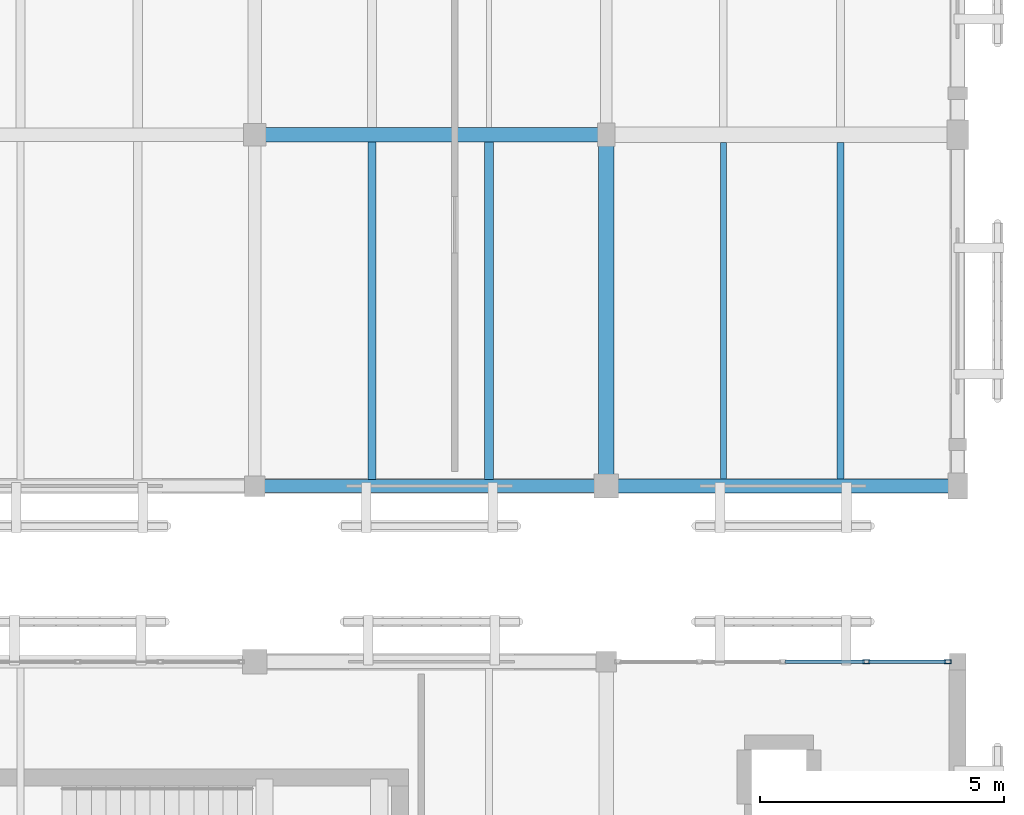
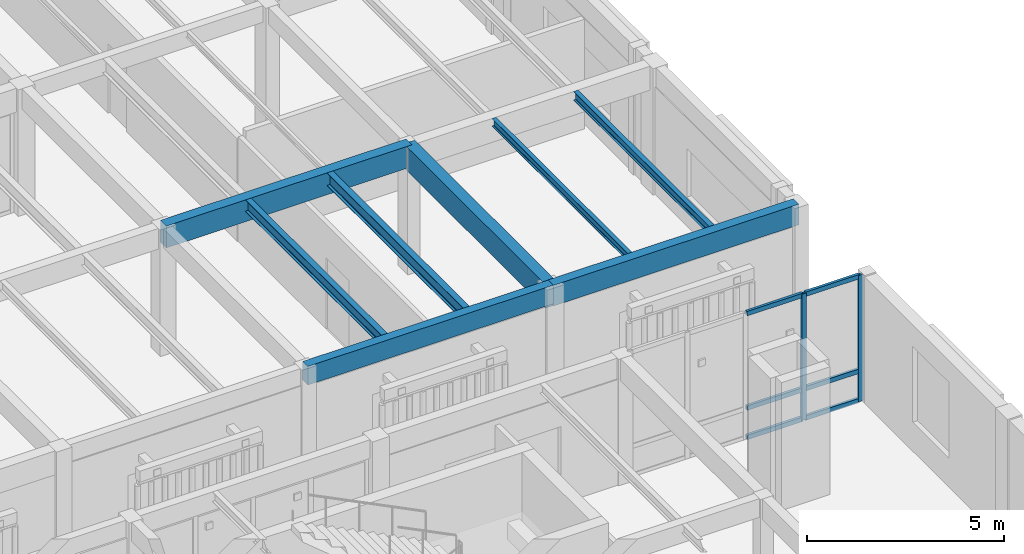
# One storey, part 145 of 217: 8 beams, 8 members, 1 element without a shape of its own.
"""IFC4 building model written with IfcOpenShell, lengths in metres."""

from ifc_helpers import new_model, si_unit, direction, frame, origin, origin_2d, place, context, subcontext, project, spatial, rectangle, hollow_rectangle, i_section, extrude, material, layer, layer_set, material_profile, profile_set, type_object, element, aggregate, save


model = new_model("IFC4")

# Units and contexts
model_context = context("Model", 3, precision=1e-05, world=origin(), true_north=direction((0.0, 1.0)))
body_context = subcontext(model_context, "Body", "Model", "MODEL_VIEW")
ifc_project = project(units=[si_unit("LENGTHUNIT", "METRE"), si_unit("AREAUNIT", "SQUARE_METRE"), si_unit("VOLUMEUNIT", "CUBIC_METRE"), si_unit("PLANEANGLEUNIT", "RADIAN"), si_unit("MASSUNIT", "GRAM", prefix="KILO")], contexts=[model_context])

# Site, building, storey
site_placement = place(None, origin())
site = spatial("IfcSite", under=ifc_project, at=site_placement, CompositionType="ELEMENT")
building_placement = place(site_placement, origin())
building = spatial("IfcBuilding", under=site, at=building_placement, Name="Mazaris Harbour Polytechnic", CompositionType="ELEMENT")
storey_placement = place(building_placement, frame((0.0, 0.0, 9.60009765625)))
storey = spatial("IfcBuildingStorey", under=building, at=storey_placement, Name="L02", CompositionType="ELEMENT", Elevation=9.60009765625)

# Curtain wall, members
ifc_material_1 = material(Name="Anodised Bronze Aluminium and Low-E Glass", Category="aluminium")
ifc_layer = layer(ifc_material_1, 0.159912109375, Name="Anodised Bronze Aluminium and Low-E Glass")
ifc_layer_set = layer_set([ifc_layer], Name="Anodised Bronze Aluminium and Low-E Glass")
curtain_wall_type = type_object("IfcCurtainWallType", Name="Cloister Court Curtain Wall", PredefinedType="NOTDEFINED", material=ifc_layer_set)
curtain_wall_placement = place(storey_placement, origin())
curtain_wall = element("IfcCurtainWall", 1, at=curtain_wall_placement, inside=storey, type_object=curtain_wall_type, Name="V2 L02 Curtain Wall 52", PredefinedType="NOTDEFINED")
ifc_material_2 = material(Name="Anodised Bronze Steel S355", Category="steel")
ifc_material_profile_1 = material_profile(ifc_material_2, hollow_rectangle(XDim=0.080078125, YDim=0.139892578125, WallThickness=0.00634765625, at=origin_2d()), Name="RHS 80x140x6.3")
ifc_profile_set_1 = profile_set([ifc_material_profile_1], Name="Anodised Bronze Steel S355")
member_type_1 = type_object("IfcMemberType", Name="Curtain Mullion RHS80x140", PredefinedType="MULLION", material=ifc_profile_set_1)
member_1_placement = place(storey_placement, frame((170.928955078125, 43.199951171875, 0.0), z_axis=(0.0, 0.0, 1.0), x_axis=(0.0, 1.0, 0.0)))
member_1 = element("IfcMember", 2, at=member_1_placement, type_object=member_type_1, Name="CW-02 mullion 4", PredefinedType="MULLION", context=body_context, shape_type="SweptSolid", body=[
    extrude(hollow_rectangle(XDim=0.080078125, YDim=0.139892578125, WallThickness=0.00634765625, at=origin_2d()), origin(), (0.0, 0.0, 1.0), 3.919921875),
])
member_2_placement = place(storey_placement, frame((172.597900390625, 43.199951171875, 0.0), z_axis=(0.0, 0.0, 1.0), x_axis=(0.0, 1.0, 0.0)))
member_2 = element("IfcMember", 3, at=member_2_placement, type_object=member_type_1, Name="CW-02 mullion 5", PredefinedType="MULLION", context=body_context, shape_type="SweptSolid", body=[
    extrude(hollow_rectangle(XDim=0.080078125, YDim=0.139892578125, WallThickness=0.00634765625, at=origin_2d()), origin(), (0.0, 0.0, 1.0), 3.919921875),
])
ifc_material_3 = material(Name="Anodised Bronze Steel S355", Category="steel")
ifc_material_profile_2 = material_profile(ifc_material_3, hollow_rectangle(XDim=0.080078125, YDim=0.139892578125, WallThickness=0.00634765625, at=origin_2d()), Name="RHS 80x140x6.3")
ifc_profile_set_2 = profile_set([ifc_material_profile_2], Name="Anodised Bronze Steel S355")
member_type_2 = type_object("IfcMemberType", Name="Curtain Transom RHS80x140", PredefinedType="USERDEFINED", material=ifc_profile_set_2)
member_3_placement = place(storey_placement, frame((169.260009765625, 43.199951171875, 0.039794921875), z_axis=(1.0, 0.0, 0.0), x_axis=(0.0, 1.0, 0.0)))
member_3 = element("IfcMember", 4, at=member_3_placement, type_object=member_type_2, Name="CW-02 transom 3.1", ObjectType="TRANSOM", PredefinedType="USERDEFINED", context=body_context, shape_type="SweptSolid", body=[
    extrude(hollow_rectangle(XDim=0.080078125, YDim=0.139892578125, WallThickness=0.00634765625, at=origin_2d()), origin(), (0.0, 0.0, 1.0), 1.62890625),
])
member_4_placement = place(storey_placement, frame((169.260009765625, 43.199951171875, 0.949951171875), z_axis=(1.0, 0.0, 0.0), x_axis=(0.0, 1.0, 0.0)))
member_4 = element("IfcMember", 5, at=member_4_placement, type_object=member_type_2, Name="CW-02 transom 3.2", ObjectType="TRANSOM", PredefinedType="USERDEFINED", context=body_context, shape_type="SweptSolid", body=[
    extrude(hollow_rectangle(XDim=0.080078125, YDim=0.139892578125, WallThickness=0.00634765625, at=origin_2d()), origin(), (0.0, 0.0, 1.0), 1.62890625),
])
member_5_placement = place(storey_placement, frame((169.260009765625, 43.199951171875, 3.8798828125), z_axis=(1.0, 0.0, 0.0), x_axis=(0.0, 1.0, 0.0)))
member_5 = element("IfcMember", 6, at=member_5_placement, type_object=member_type_2, Name="CW-02 transom 3.3", ObjectType="TRANSOM", PredefinedType="USERDEFINED", context=body_context, shape_type="SweptSolid", body=[
    extrude(hollow_rectangle(XDim=0.080078125, YDim=0.139892578125, WallThickness=0.00634765625, at=origin_2d()), origin(), (0.0, 0.0, 1.0), 1.62890625),
])
member_6_placement = place(storey_placement, frame((170.968994140625, 43.199951171875, 0.039794921875), z_axis=(1.0, 0.0, 0.0), x_axis=(0.0, 1.0, 0.0)))
member_6 = element("IfcMember", 7, at=member_6_placement, type_object=member_type_2, Name="CW-02 transom 4.1", ObjectType="TRANSOM", PredefinedType="USERDEFINED", context=body_context, shape_type="SweptSolid", body=[
    extrude(hollow_rectangle(XDim=0.080078125, YDim=0.139892578125, WallThickness=0.00634765625, at=origin_2d()), origin(), (0.0, 0.0, 1.0), 1.589111328125),
])
member_7_placement = place(storey_placement, frame((170.968994140625, 43.199951171875, 0.949951171875), z_axis=(1.0, 0.0, 0.0), x_axis=(0.0, 1.0, 0.0)))
member_7 = element("IfcMember", 8, at=member_7_placement, type_object=member_type_2, Name="CW-02 transom 4.2", ObjectType="TRANSOM", PredefinedType="USERDEFINED", context=body_context, shape_type="SweptSolid", body=[
    extrude(hollow_rectangle(XDim=0.080078125, YDim=0.139892578125, WallThickness=0.00634765625, at=origin_2d()), origin(), (0.0, 0.0, 1.0), 1.589111328125),
])
member_8_placement = place(storey_placement, frame((170.968994140625, 43.199951171875, 3.8798828125), z_axis=(1.0, 0.0, 0.0), x_axis=(0.0, 1.0, 0.0)))
member_8 = element("IfcMember", 9, at=member_8_placement, type_object=member_type_2, Name="CW-02 transom 4.3", ObjectType="TRANSOM", PredefinedType="USERDEFINED", context=body_context, shape_type="SweptSolid", body=[
    extrude(hollow_rectangle(XDim=0.080078125, YDim=0.139892578125, WallThickness=0.00634765625, at=origin_2d()), origin(), (0.0, 0.0, 1.0), 1.589111328125),
])
aggregate(curtain_wall, [member_1, member_2, member_3, member_4, member_5, member_6, member_7, member_8])

# Beams
ifc_material_4 = material(Name="Glulam GL32h", Category="wood")
ifc_material_profile_3 = material_profile(ifc_material_4, rectangle(XDim=0.260009765625, YDim=0.580078125, at=origin_2d()), Name="RECT260x580")
ifc_profile_set_3 = profile_set([ifc_material_profile_3], Name="Glulam GL32h")
beam_type_1 = type_object("IfcBeamType", Name="Glulam Girder 260x580 Exterior", PredefinedType="BEAM", material=ifc_profile_set_3)
beam_1_placement = place(storey_placement, frame((158.39990234375, 46.800048828125, 3.6298828125), z_axis=(1.0, 0.0, 0.0), x_axis=(0.0, 1.0, 0.0)))
element("IfcBeam", 10, at=beam_1_placement, inside=storey, type_object=beam_type_1, Name="V5 L02 Girder 3121", PredefinedType="BEAM", context=body_context, shape_type="SweptSolid", body=[
    extrude(rectangle(XDim=0.260009765625, YDim=0.580078125, at=origin_2d()), origin(), (0.0, 0.0, 1.0), 7.2001953125),
])
ifc_material_5 = material(Name="Glulam GL32h", Category="wood")
ifc_material_profile_4 = material_profile(ifc_material_5, rectangle(XDim=0.280029296875, YDim=0.639892578125, at=origin_2d()), Name="RECT280x640")
ifc_profile_set_4 = profile_set([ifc_material_profile_4], Name="Glulam GL32h")
beam_type_2 = type_object("IfcBeamType", Name="Glulam Girder 280x640 Exterior", PredefinedType="BEAM", material=ifc_profile_set_4)
beam_2_placement = place(storey_placement, frame((165.60009765625, 46.800048828125, 3.599853515625), z_axis=(1.0, 0.0, 0.0), x_axis=(0.0, 1.0, 0.0)))
element("IfcBeam", 11, at=beam_2_placement, inside=storey, type_object=beam_type_2, Name="V5 L02 Girder 3122", PredefinedType="BEAM", context=body_context, shape_type="SweptSolid", body=[
    extrude(rectangle(XDim=0.280029296875, YDim=0.639892578125, at=origin_2d()), origin(), (0.0, 0.0, 1.0), 7.199951171875),
])
ifc_material_6 = material(Name="Glulam GL32h", Category="wood")
ifc_material_profile_5 = material_profile(ifc_material_6, rectangle(XDim=0.300048828125, YDim=0.679931640625, at=origin_2d()), Name="RECT300x680")
ifc_profile_set_5 = profile_set([ifc_material_profile_5], Name="Glulam GL32h")
beam_type_3 = type_object("IfcBeamType", Name="Glulam Girder 300x680", PredefinedType="BEAM", material=ifc_profile_set_5)
beam_3_placement = place(storey_placement, frame((158.39990234375, 54.0, 3.579833984375), z_axis=(1.0, 0.0, 0.0), x_axis=(0.0, 1.0, 0.0)))
element("IfcBeam", 12, at=beam_3_placement, inside=storey, type_object=beam_type_3, Name="V5 L02 Girder 3128", PredefinedType="BEAM", context=body_context, shape_type="SweptSolid", body=[
    extrude(rectangle(XDim=0.300048828125, YDim=0.679931640625, at=origin_2d()), origin(), (0.0, 0.0, 1.0), 7.2001953125),
])
ifc_material_7 = material(Name="Glulam GL32h", Category="wood")
ifc_material_profile_6 = material_profile(ifc_material_7, rectangle(XDim=0.320068359375, YDim=0.739990234375, at=origin_2d()), Name="RECT320x740")
ifc_profile_set_6 = profile_set([ifc_material_profile_6], Name="Glulam GL32h")
beam_type_4 = type_object("IfcBeamType", Name="Glulam Girder 320x740", PredefinedType="BEAM", material=ifc_profile_set_6)
beam_4_placement = place(storey_placement, frame((165.60009765625, 46.800048828125, 3.5498046875), z_axis=(0.0, 1.0, 0.0), x_axis=(-1.0, 0.0, 0.0)))
element("IfcBeam", 13, at=beam_4_placement, inside=storey, type_object=beam_type_4, Name="V5 L02 Tie Girder 3209", PredefinedType="BEAM", context=body_context, shape_type="SweptSolid", body=[
    extrude(rectangle(XDim=0.320068359375, YDim=0.739990234375, at=origin_2d()), origin(), (0.0, 0.0, 1.0), 7.199951171875),
])
ifc_material_8 = material(Name="Steel S355", Category="steel")
ifc_material_profile_7 = material_profile(ifc_material_8, i_section(OverallWidth=0.1201171875, OverallDepth=0.239990234375, WebThickness=0.006103515625, FlangeThickness=0.009765625, FilletRadius=0.014892578125, at=origin_2d()), Name="IPE 240")
ifc_profile_set_7 = profile_set([ifc_material_profile_7], Name="Steel S355")
beam_type_5 = type_object("IfcBeamType", Name="Steel Joist IPE240", PredefinedType="JOIST", material=ifc_profile_set_7)
beam_5_placement = place(storey_placement, frame((168.0, 46.93994140625, 3.7998046875), z_axis=(0.0, 1.0, 0.0), x_axis=(-1.0, 0.0, 0.0)))
element("IfcBeam", 14, at=beam_5_placement, inside=storey, type_object=beam_type_5, Name="V5 L02 Floor Joist 3284", PredefinedType="JOIST", context=body_context, shape_type="SweptSolid", body=[
    extrude(i_section(OverallWidth=0.1201171875, OverallDepth=0.239990234375, WebThickness=0.006103515625, FlangeThickness=0.009765625, FilletRadius=0.014892578125, at=origin_2d()), origin(), (0.0, 0.0, 1.0), 6.900146484375),
])
ifc_material_9 = material(Name="Steel S355", Category="steel")
ifc_material_profile_8 = material_profile(ifc_material_9, i_section(OverallWidth=0.135009765625, OverallDepth=0.27001953125, WebThickness=0.006591796875, FlangeThickness=0.01025390625, FilletRadius=0.014892578125, at=origin_2d()), Name="IPE 270")
ifc_profile_set_8 = profile_set([ifc_material_profile_8], Name="Steel S355")
beam_type_6 = type_object("IfcBeamType", Name="Steel Joist IPE270", PredefinedType="JOIST", material=ifc_profile_set_8)
beam_6_placement = place(storey_placement, frame((170.39990234375, 46.93994140625, 3.784912109375), z_axis=(0.0, 1.0, 0.0), x_axis=(-1.0, 0.0, 0.0)))
element("IfcBeam", 15, at=beam_6_placement, inside=storey, type_object=beam_type_6, Name="V5 L02 Floor Joist 3285", PredefinedType="JOIST", context=body_context, shape_type="SweptSolid", body=[
    extrude(i_section(OverallWidth=0.135009765625, OverallDepth=0.27001953125, WebThickness=0.006591796875, FlangeThickness=0.01025390625, FilletRadius=0.014892578125, at=origin_2d()), origin(), (0.0, 0.0, 1.0), 6.900146484375),
])
ifc_material_10 = material(Name="Steel S355", Category="steel")
ifc_material_profile_9 = material_profile(ifc_material_10, i_section(OverallWidth=0.169921875, OverallDepth=0.360107421875, WebThickness=0.008056640625, FlangeThickness=0.0126953125, FilletRadius=0.01806640625, at=origin_2d()), Name="IPE 360")
ifc_profile_set_9 = profile_set([ifc_material_profile_9], Name="Steel S355")
beam_type_7 = type_object("IfcBeamType", Name="Steel Joist IPE360", PredefinedType="JOIST", material=ifc_profile_set_9)
beam_7_placement = place(storey_placement, frame((160.800048828125, 46.929931640625, 3.739990234375), z_axis=(0.0, 1.0, 0.0), x_axis=(-1.0, 0.0, 0.0)))
element("IfcBeam", 16, at=beam_7_placement, inside=storey, type_object=beam_type_7, Name="V5 L02 Floor Joist 3273", PredefinedType="JOIST", context=body_context, shape_type="SweptSolid", body=[
    extrude(i_section(OverallWidth=0.169921875, OverallDepth=0.360107421875, WebThickness=0.008056640625, FlangeThickness=0.0126953125, FilletRadius=0.01806640625, at=origin_2d()), origin(), (0.0, 0.0, 1.0), 6.920166015625),
])
ifc_material_11 = material(Name="Steel S355", Category="steel")
ifc_material_profile_10 = material_profile(ifc_material_11, i_section(OverallWidth=0.179931640625, OverallDepth=0.39990234375, WebThickness=0.008544921875, FlangeThickness=0.013427734375, FilletRadius=0.02099609375, at=origin_2d()), Name="IPE 400")
ifc_profile_set_10 = profile_set([ifc_material_profile_10], Name="Steel S355")
beam_type_8 = type_object("IfcBeamType", Name="Steel Joist IPE400", PredefinedType="JOIST", material=ifc_profile_set_10)
beam_8_placement = place(storey_placement, frame((163.199951171875, 46.929931640625, 3.719970703125), z_axis=(0.0, 1.0, 0.0), x_axis=(-1.0, 0.0, 0.0)))
element("IfcBeam", 17, at=beam_8_placement, inside=storey, type_object=beam_type_8, Name="V5 L02 Floor Joist 3274", PredefinedType="JOIST", context=body_context, shape_type="SweptSolid", body=[
    extrude(i_section(OverallWidth=0.179931640625, OverallDepth=0.39990234375, WebThickness=0.008544921875, FlangeThickness=0.013427734375, FilletRadius=0.02099609375, at=origin_2d()), origin(), (0.0, 0.0, 1.0), 6.920166015625),
])

save(model, "model.ifc")
